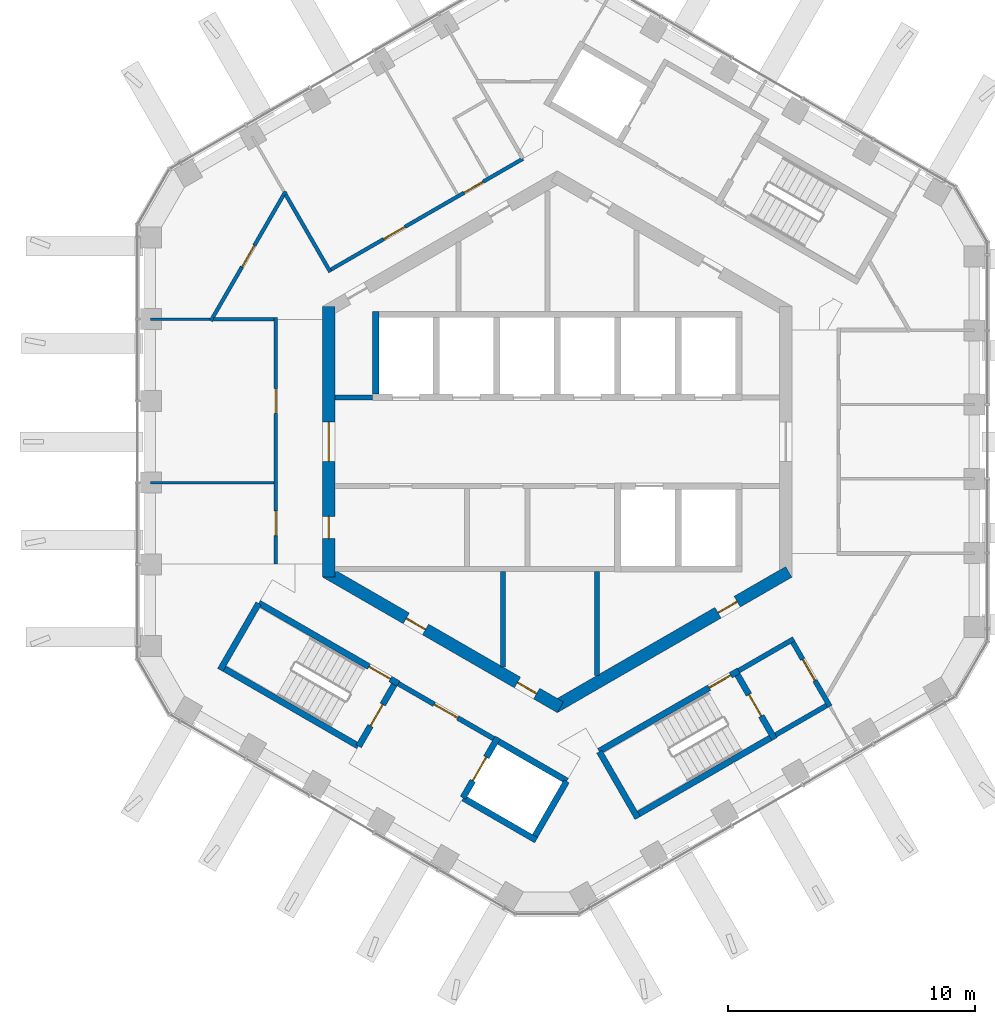
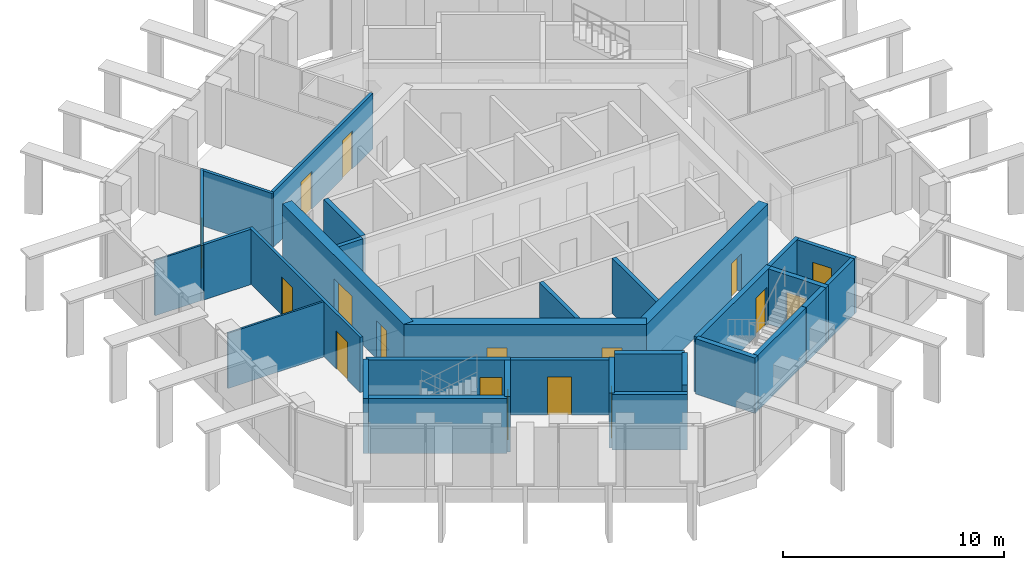
# One storey, part 11 of 18: 31 walls, 17 doors, 17 openings.
"""IFC4 building model written with IfcOpenShell, lengths in metres."""

from ifc_helpers import new_model, si_unit, direction, frame, frame_2d, origin, place, context, subcontext, project, spatial, rectangle, extrude, material, layer, layer_set, type_object, element, fill, save


model = new_model("IFC4")

# Units and contexts
model_context = context("Model", 3, precision=1e-05, world=origin(), true_north=direction((0.0, 1.0)))
body_context = subcontext(model_context, "Body", "Model", "MODEL_VIEW")
ifc_project = project(units=[si_unit("LENGTHUNIT", "METRE"), si_unit("AREAUNIT", "SQUARE_METRE"), si_unit("VOLUMEUNIT", "CUBIC_METRE"), si_unit("PLANEANGLEUNIT", "RADIAN"), si_unit("MASSUNIT", "GRAM", prefix="KILO")], contexts=[model_context])

# Site, building, storey
site_placement = place(None, origin())
site = spatial("IfcSite", under=ifc_project, at=site_placement, CompositionType="ELEMENT")
building_placement = place(site_placement, origin())
building = spatial("IfcBuilding", under=site, at=building_placement, Name="Ayvan Gate Tower", CompositionType="ELEMENT")
storey_placement = place(building_placement, frame((0.0, 0.0, 242.699951171875)))
storey = spatial("IfcBuildingStorey", under=building, at=storey_placement, Name="L65", CompositionType="ELEMENT", Elevation=242.699951171875)

# Wall, openings, doors
ifc_material_1 = material(Name="Concrete C60/75", Category="concrete")
ifc_layer_1 = layer(ifc_material_1, 0.5)
ifc_layer_set_1 = layer_set([ifc_layer_1], Name="Concrete C60/75")
wall_type_1 = type_object("IfcWallType", Name="Core wall 500 C60/75", PredefinedType="SHEAR", material=ifc_layer_set_1)
wall_1_placement = place(storey_placement, frame((-9.25, 5.48486328125, 0.0), z_axis=(0.0, 0.0, 1.0), x_axis=(0.0, -1.0, 0.0)))
wall_1 = element("IfcWall", 1, at=wall_1_placement, inside=storey, type_object=wall_type_1, Name="CORE-L65-3", PredefinedType="SHEAR", context=body_context, shape_type="SweptSolid", body=[
    extrude(rectangle(XDim=10.9697265625, YDim=0.5, at=frame_2d((5.48486328125, 0.0))), origin(), (0.0, 0.0, 1.0), 3.400146484375),
])
opening_1_placement = place(wall_1_placement, frame((8.509765625, 0.0, 0.0)))
opening_1 = element("IfcOpeningElement", 2, at=opening_1_placement, cuts=wall_1, Name="Opening L65-D44", PredefinedType="OPENING", context=body_context, shape_type="SweptSolid", body=[
    extrude(rectangle(XDim=0.89990234375, YDim=2.10009765625, at=frame_2d((0.449951171875, 1.050048828125))), frame((0.0, 0.260009765625, 0.0), z_axis=(0.0, -1.0, 0.0), x_axis=(1.0, 0.0, 0.0)), (0.0, 0.0, 1.0), 0.52001953125),
])
opening_2_placement = place(wall_1_placement, frame((4.684814453125, 0.0, 0.0)))
opening_2 = element("IfcOpeningElement", 3, at=opening_2_placement, cuts=wall_1, Name="Opening L65-D46", PredefinedType="OPENING", context=body_context, shape_type="SweptSolid", body=[
    extrude(rectangle(XDim=1.60009765625, YDim=2.10009765625, at=frame_2d((0.800048828125, 1.050048828125))), frame((0.0, 0.260009765625, 0.0), z_axis=(0.0, -1.0, 0.0), x_axis=(1.0, 0.0, 0.0)), (0.0, 0.0, 1.0), 0.52001953125),
])
ifc_material_2 = material(Name="Timber door leaf", Category="wood")
door_type_1 = type_object("IfcDoorType", Name="DT-1600", OperationType="NOTDEFINED", PredefinedType="DOOR", material=ifc_material_2)
door_1_placement = place(opening_2_placement, origin())
door_1 = element("IfcDoor", 4, at=door_1_placement, inside=storey, type_object=door_type_1, Name="CD-L65-46", OperationType="SINGLE_SWING_LEFT", OverallHeight=2.10009765625, OverallWidth=1.60009765625, PredefinedType="DOOR", context=body_context, shape_type="SweptSolid", body=[
    extrude(rectangle(XDim=1.60009765625, YDim=2.10009765625, at=frame_2d((0.800048828125, 1.050048828125))), frame((0.0, 0.02490234375, 0.0), z_axis=(0.0, -1.0, 0.0), x_axis=(1.0, 0.0, 0.0)), (0.0, 0.0, 1.0), 0.050048828125),
])
fill(opening_2, door_1)
door_type_2 = type_object("IfcDoorType", Name="DT-900", OperationType="NOTDEFINED", PredefinedType="DOOR", material=ifc_material_2)
door_2_placement = place(opening_1_placement, origin())
door_2 = element("IfcDoor", 5, at=door_2_placement, inside=storey, type_object=door_type_2, Name="CD-L65-44", OperationType="SINGLE_SWING_LEFT", OverallHeight=2.10009765625, OverallWidth=0.89990234375, PredefinedType="DOOR", context=body_context, shape_type="SweptSolid", body=[
    extrude(rectangle(XDim=0.89990234375, YDim=2.10009765625, at=frame_2d((0.449951171875, 1.050048828125))), frame((0.0, 0.02490234375, 0.0), z_axis=(0.0, -1.0, 0.0), x_axis=(1.0, 0.0, 0.0)), (0.0, 0.0, 1.0), 0.050048828125),
])
fill(opening_1, door_2)

wall_2_placement = place(storey_placement, frame((-9.375, -5.268310546875, 0.0), z_axis=(0.0, 0.0, 1.0), x_axis=(0.866023993627, -0.500002442456, 0.0)))
wall_2 = element("IfcWall", 6, at=wall_2_placement, inside=storey, type_object=wall_type_1, Name="CORE-L65-4", PredefinedType="SHEAR", context=body_context, shape_type="SweptSolid", body=[
    extrude(rectangle(XDim=10.9697265625, YDim=0.5, at=frame_2d((5.48486328125, 0.0))), origin(), (0.0, 0.0, 1.0), 3.400146484375),
])
opening_3_placement = place(wall_2_placement, frame((3.76513671875, 0.0, 0.0)))
opening_3 = element("IfcOpeningElement", 7, at=opening_3_placement, cuts=wall_2, Name="Opening L65-D41", PredefinedType="OPENING", context=body_context, shape_type="SweptSolid", body=[
    extrude(rectangle(XDim=0.89990234375, YDim=2.10009765625, at=frame_2d((0.449951171875, 1.050048828125))), frame((0.0, 0.260009765625, 0.0), z_axis=(0.0, -1.0, 0.0), x_axis=(1.0, 0.0, 0.0)), (0.0, 0.0, 1.0), 0.52001953125),
])
opening_4_placement = place(wall_2_placement, frame((8.960205078125, 0.0, 0.0)))
opening_4 = element("IfcOpeningElement", 8, at=opening_4_placement, cuts=wall_2, Name="Opening L65-D42", PredefinedType="OPENING", context=body_context, shape_type="SweptSolid", body=[
    extrude(rectangle(XDim=0.89990234375, YDim=2.10009765625, at=frame_2d((0.449951171875, 1.050048828125))), frame((0.0, 0.260009765625, 0.0), z_axis=(0.0, -1.0, 0.0), x_axis=(1.0, 0.0, 0.0)), (0.0, 0.0, 1.0), 0.52001953125),
])
door_3_placement = place(opening_3_placement, origin())
door_3 = element("IfcDoor", 9, at=door_3_placement, inside=storey, type_object=door_type_2, Name="CD-L65-41", OperationType="SINGLE_SWING_RIGHT", OverallHeight=2.10009765625, OverallWidth=0.89990234375, PredefinedType="DOOR", context=body_context, shape_type="SweptSolid", body=[
    extrude(rectangle(XDim=0.89990234375, YDim=2.10009765625, at=frame_2d((0.449951171875, 1.050048828125))), frame((0.0, 0.02490234375, 0.0), z_axis=(0.0, -1.0, 0.0), x_axis=(1.0, 0.0, 0.0)), (0.0, 0.0, 1.0), 0.050048828125),
])
fill(opening_3, door_3)
door_4_placement = place(opening_4_placement, origin())
door_4 = element("IfcDoor", 10, at=door_4_placement, inside=storey, type_object=door_type_2, Name="CD-L65-42", OperationType="SINGLE_SWING_LEFT", OverallHeight=2.10009765625, OverallWidth=0.89990234375, PredefinedType="DOOR", context=body_context, shape_type="SweptSolid", body=[
    extrude(rectangle(XDim=0.89990234375, YDim=2.10009765625, at=frame_2d((0.449951171875, 1.050048828125))), frame((0.0, 0.02490234375, 0.0), z_axis=(0.0, -1.0, 0.0), x_axis=(1.0, 0.0, 0.0)), (0.0, 0.0, 1.0), 0.050048828125),
])
fill(opening_4, door_4)

# Wall, opening, door
wall_3_placement = place(storey_placement, frame((-0.125, -10.753173828125, 0.0), z_axis=(0.0, 0.0, 1.0), x_axis=(0.866023993627, 0.500002442456, 0.0)))
wall_3 = element("IfcWall", 11, at=wall_3_placement, inside=storey, type_object=wall_type_1, Name="CORE-L65-5", PredefinedType="SHEAR", context=body_context, shape_type="SweptSolid", body=[
    extrude(rectangle(XDim=10.9697265625, YDim=0.5, at=frame_2d((5.48486328125, 0.0))), origin(), (0.0, 0.0, 1.0), 3.400146484375),
])
opening_5_placement = place(wall_3_placement, frame((7.6572265625, 0.0, 0.0)))
opening_5 = element("IfcOpeningElement", 12, at=opening_5_placement, cuts=wall_3, Name="Opening L65-D43", PredefinedType="OPENING", context=body_context, shape_type="SweptSolid", body=[
    extrude(rectangle(XDim=0.89990234375, YDim=2.10009765625, at=frame_2d((0.449951171875, 1.050048828125))), frame((0.0, 0.260009765625, 0.0), z_axis=(0.0, -1.0, 0.0), x_axis=(1.0, 0.0, 0.0)), (0.0, 0.0, 1.0), 0.52001953125),
])
door_5_placement = place(opening_5_placement, origin())
door_5 = element("IfcDoor", 13, at=door_5_placement, inside=storey, type_object=door_type_2, Name="CD-L65-43", OperationType="SINGLE_SWING_RIGHT", OverallHeight=2.10009765625, OverallWidth=0.89990234375, PredefinedType="DOOR", context=body_context, shape_type="SweptSolid", body=[
    extrude(rectangle(XDim=0.89990234375, YDim=2.10009765625, at=frame_2d((0.449951171875, 1.050048828125))), frame((0.0, 0.02490234375, 0.0), z_axis=(0.0, -1.0, 0.0), x_axis=(1.0, 0.0, 0.0)), (0.0, 0.0, 1.0), 0.050048828125),
])
fill(opening_5, door_5)

ifc_material_3 = material(Name="Plasterboard on steel stud", Category="steel")
ifc_layer_2 = layer(ifc_material_3, 0.14990234375)
ifc_layer_set_2 = layer_set([ifc_layer_2], Name="Plasterboard on steel stud")
wall_type_2 = type_object("IfcWallType", Name="WT-CORR-150", PredefinedType="PARTITIONING", material=ifc_layer_set_2)
wall_4_placement = place(storey_placement, frame((-14.031005859375, 4.8896484375, 0.0), z_axis=(0.0, 0.0, 1.0), x_axis=(0.499973530083, 0.866040685659, 0.0)))
wall_4 = element("IfcWall", 14, at=wall_4_placement, inside=storey, type_object=wall_type_2, Name="IW-L65-001", PredefinedType="PARTITIONING", context=body_context, shape_type="SweptSolid", body=[
    extrude(rectangle(XDim=6.060302734375, YDim=0.14990234375, at=frame_2d((3.0302734375, 0.0))), origin(), (0.0, 0.0, 1.0), 3.050048828125),
])
opening_6_placement = place(wall_4_placement, frame((2.530029296875, 0.0, 0.0)))
opening_6 = element("IfcOpeningElement", 15, at=opening_6_placement, cuts=wall_4, Name="Opening L65-D29", PredefinedType="OPENING", context=body_context, shape_type="SweptSolid", body=[
    extrude(rectangle(XDim=1.0, YDim=2.10009765625, at=frame_2d((0.5, 1.050048828125))), frame((0.0, 0.0849609375, 0.0), z_axis=(0.0, -1.0, 0.0), x_axis=(1.0, 0.0, 0.0)), (0.0, 0.0, 1.0), 0.169921875),
])
door_type_3 = type_object("IfcDoorType", Name="DT-1000", OperationType="NOTDEFINED", PredefinedType="DOOR", material=ifc_material_2)
door_6_placement = place(opening_6_placement, origin())
door_6 = element("IfcDoor", 16, at=door_6_placement, inside=storey, type_object=door_type_3, Name="ID-L65-029", OperationType="SINGLE_SWING_RIGHT", OverallHeight=2.10009765625, OverallWidth=1.0, PredefinedType="DOOR", context=body_context, shape_type="SweptSolid", body=[
    extrude(rectangle(XDim=1.0, YDim=2.10009765625, at=frame_2d((0.5, 1.050048828125))), frame((0.0, 0.02490234375, 0.0), z_axis=(0.0, -1.0, 0.0), x_axis=(1.0, 0.0, 0.0)), (0.0, 0.0, 1.0), 0.050048828125),
])
fill(opening_6, door_6)

# Wall, openings, doors
wall_5_placement = place(storey_placement, frame((-11.39990234375, -4.95458984375, 0.0), z_axis=(0.0, 0.0, 1.0), x_axis=(0.0, 1.0, 0.0)))
wall_5 = element("IfcWall", 17, at=wall_5_placement, inside=storey, type_object=wall_type_2, Name="IW-L65-005", PredefinedType="PARTITIONING", context=body_context, shape_type="SweptSolid", body=[
    extrude(rectangle(XDim=9.984375, YDim=0.14990234375, at=frame_2d((4.9921875, 0.0))), origin(), (0.0, 0.0, 1.0), 3.050048828125),
])
opening_7_placement = place(wall_5_placement, frame((6.106201171875, 0.0, 0.0)))
opening_7 = element("IfcOpeningElement", 18, at=opening_7_placement, cuts=wall_5, Name="Opening L65-D30", PredefinedType="OPENING", context=body_context, shape_type="SweptSolid", body=[
    extrude(rectangle(XDim=1.0, YDim=2.10009765625, at=frame_2d((0.5, 1.050048828125))), frame((0.0, 0.0849609375, 0.0), z_axis=(0.0, -1.0, 0.0), x_axis=(1.0, 0.0, 0.0)), (0.0, 0.0, 1.0), 0.169921875),
])
opening_8_placement = place(wall_5_placement, frame((1.151123046875, 0.0, 0.0)))
opening_8 = element("IfcOpeningElement", 19, at=opening_8_placement, cuts=wall_5, Name="Opening L65-D31", PredefinedType="OPENING", context=body_context, shape_type="SweptSolid", body=[
    extrude(rectangle(XDim=1.0, YDim=2.10009765625, at=frame_2d((0.5, 1.050048828125))), frame((0.0, 0.0849609375, 0.0), z_axis=(0.0, -1.0, 0.0), x_axis=(1.0, 0.0, 0.0)), (0.0, 0.0, 1.0), 0.169921875),
])
door_7_placement = place(opening_7_placement, origin())
door_7 = element("IfcDoor", 20, at=door_7_placement, inside=storey, type_object=door_type_3, Name="ID-L65-030", OperationType="SINGLE_SWING_LEFT", OverallHeight=2.10009765625, OverallWidth=1.0, PredefinedType="DOOR", context=body_context, shape_type="SweptSolid", body=[
    extrude(rectangle(XDim=1.0, YDim=2.10009765625, at=frame_2d((0.5, 1.050048828125))), frame((0.0, 0.02490234375, 0.0), z_axis=(0.0, -1.0, 0.0), x_axis=(1.0, 0.0, 0.0)), (0.0, 0.0, 1.0), 0.050048828125),
])
fill(opening_7, door_7)
door_8_placement = place(opening_8_placement, origin())
door_8 = element("IfcDoor", 21, at=door_8_placement, inside=storey, type_object=door_type_3, Name="ID-L65-031", OperationType="SINGLE_SWING_RIGHT", OverallHeight=2.10009765625, OverallWidth=1.0, PredefinedType="DOOR", context=body_context, shape_type="SweptSolid", body=[
    extrude(rectangle(XDim=1.0, YDim=2.10009765625, at=frame_2d((0.5, 1.050048828125))), frame((0.0, 0.02490234375, 0.0), z_axis=(0.0, -1.0, 0.0), x_axis=(1.0, 0.0, 0.0)), (0.0, 0.0, 1.0), 0.050048828125),
])
fill(opening_8, door_8)

# Walls
wall_6_placement = place(storey_placement, frame((-11.474853515625, 4.95458984375, 0.0), z_axis=(0.0, 0.0, 1.0), x_axis=(-1.0, 0.0, 0.0)))
element("IfcWall", 22, at=wall_6_placement, inside=storey, type_object=wall_type_2, Name="IW-L65-007", PredefinedType="PARTITIONING", context=body_context, shape_type="SweptSolid", body=[
    extrude(rectangle(XDim=2.443603515625, YDim=0.14990234375, at=frame_2d((1.2216796875, 0.0))), origin(), (0.0, 0.0, 1.0), 3.050048828125),
])
wall_7_placement = place(storey_placement, frame((-11.0009765625, 10.008056640625, 0.0), z_axis=(0.0, 0.0, 1.0), x_axis=(0.500053022251, -0.865994789209, 0.0)))
element("IfcWall", 23, at=wall_7_placement, inside=storey, type_object=wall_type_2, Name="IW-L65-008", PredefinedType="PARTITIONING", context=body_context, shape_type="SweptSolid", body=[
    extrude(rectangle(XDim=3.62255859375, YDim=0.14990234375, at=frame_2d((1.811279296875, 0.0))), origin(), (0.0, 0.0, 1.0), 3.050048828125),
])

# Wall, openings, doors
wall_8_placement = place(storey_placement, frame((-9.162109375, 6.97314453125, 0.0), z_axis=(0.0, 0.0, 1.0), x_axis=(0.866025611375, 0.499999640442, 0.0)))
wall_8 = element("IfcWall", 24, at=wall_8_placement, inside=storey, type_object=wall_type_2, Name="IW-L65-009", PredefinedType="PARTITIONING", context=body_context, shape_type="SweptSolid", body=[
    extrude(rectangle(XDim=8.97119140625, YDim=0.14990234375, at=frame_2d((4.485595703125, 0.0))), origin(), (0.0, 0.0, 1.0), 3.050048828125),
])
opening_9_placement = place(wall_8_placement, frame((6.21337890625, 0.0, 0.0)))
opening_9 = element("IfcOpeningElement", 25, at=opening_9_placement, cuts=wall_8, Name="Opening L65-D34", PredefinedType="OPENING", context=body_context, shape_type="SweptSolid", body=[
    extrude(rectangle(XDim=0.89990234375, YDim=2.10009765625, at=frame_2d((0.449951171875, 1.050048828125))), frame((0.0, 0.0849609375, 0.0), z_axis=(0.0, -1.0, 0.0), x_axis=(1.0, 0.0, 0.0)), (0.0, 0.0, 1.0), 0.169921875),
])
opening_10_placement = place(wall_8_placement, frame((2.462890625, 0.0, 0.0)))
opening_10 = element("IfcOpeningElement", 26, at=opening_10_placement, cuts=wall_8, Name="Opening L65-D36", PredefinedType="OPENING", context=body_context, shape_type="SweptSolid", body=[
    extrude(rectangle(XDim=1.0, YDim=2.10009765625, at=frame_2d((0.5, 1.050048828125))), frame((0.0, 0.0849609375, 0.0), z_axis=(0.0, -1.0, 0.0), x_axis=(1.0, 0.0, 0.0)), (0.0, 0.0, 1.0), 0.169921875),
])
door_9_placement = place(opening_10_placement, origin())
door_9 = element("IfcDoor", 27, at=door_9_placement, inside=storey, type_object=door_type_3, Name="ID-L65-036", OperationType="SINGLE_SWING_LEFT", OverallHeight=2.10009765625, OverallWidth=1.0, PredefinedType="DOOR", context=body_context, shape_type="SweptSolid", body=[
    extrude(rectangle(XDim=1.0, YDim=2.10009765625, at=frame_2d((0.5, 1.050048828125))), frame((0.0, 0.02490234375, 0.0), z_axis=(0.0, -1.0, 0.0), x_axis=(1.0, 0.0, 0.0)), (0.0, 0.0, 1.0), 0.050048828125),
])
fill(opening_10, door_9)
door_10_placement = place(opening_9_placement, origin())
door_10 = element("IfcDoor", 28, at=door_10_placement, inside=storey, type_object=door_type_2, Name="ID-L65-034", OperationType="SINGLE_SWING_LEFT", OverallHeight=2.10009765625, OverallWidth=0.89990234375, PredefinedType="DOOR", context=body_context, shape_type="SweptSolid", body=[
    extrude(rectangle(XDim=0.89990234375, YDim=2.10009765625, at=frame_2d((0.449951171875, 1.050048828125))), frame((0.0, 0.02490234375, 0.0), z_axis=(0.0, -1.0, 0.0), x_axis=(1.0, 0.0, 0.0)), (0.0, 0.0, 1.0), 0.050048828125),
])
fill(opening_9, door_10)

# Walls
ifc_layer_3 = layer(ifc_material_3, 0.10009765625)
ifc_layer_set_3 = layer_set([ifc_layer_3], Name="Plasterboard on steel stud")
wall_type_3 = type_object("IfcWallType", Name="WT-PART-100", PredefinedType="PARTITIONING", material=ifc_layer_set_3)
wall_9_placement = place(storey_placement, frame((-14.068603515625, 4.95458984375, 0.0), z_axis=(0.0, 0.0, 1.0), x_axis=(-1.0, 0.0, 0.0)))
element("IfcWall", 29, at=wall_9_placement, inside=storey, type_object=wall_type_3, Name="IW-L65-000", PredefinedType="PARTITIONING", context=body_context, shape_type="SweptSolid", body=[
    extrude(rectangle(XDim=2.403564453125, YDim=0.10009765625, at=frame_2d((1.20166015625, 0.0))), origin(), (0.0, 0.0, 1.0), 3.050048828125),
])
wall_10_placement = place(storey_placement, frame((-11.47509765625, -1.651611328125, 0.0), z_axis=(0.0, 0.0, 1.0), x_axis=(-1.0, 0.0, 0.0)))
element("IfcWall", 30, at=wall_10_placement, inside=storey, type_object=wall_type_3, Name="IW-L65-006", PredefinedType="PARTITIONING", context=body_context, shape_type="SweptSolid", body=[
    extrude(rectangle(XDim=4.9970703125, YDim=0.10009765625, at=frame_2d((2.49853515625, 0.0))), origin(), (0.0, 0.0, 1.0), 3.050048828125),
])
ifc_layer_4 = layer(ifc_material_3, 0.199951171875)
ifc_layer_set_4 = layer_set([ifc_layer_4], Name="Plasterboard on steel stud")
wall_type_4 = type_object("IfcWallType", Name="WT-RATED-200", PredefinedType="PARTITIONING", material=ifc_layer_set_4)
wall_11_placement = place(storey_placement, frame((-9.0, 1.800048828125, 0.0), z_axis=(0.0, 0.0, 1.0), x_axis=(1.0, 0.0, 0.0)))
element("IfcWall", 31, at=wall_11_placement, inside=storey, type_object=wall_type_4, Name="IW-L65-010", PredefinedType="PARTITIONING", context=body_context, shape_type="SweptSolid", body=[
    extrude(rectangle(XDim=1.525146484375, YDim=0.199951171875, at=frame_2d((0.7626953125, 0.0))), origin(), (0.0, 0.0, 1.0), 3.050048828125),
])

# Wall, opening, door
wall_12_placement = place(storey_placement, frame((-6.4345703125, -9.794921875, 0.0), z_axis=(0.0, 0.0, 1.0), x_axis=(0.866012907634, -0.500021643343, 0.0)))
wall_12 = element("IfcWall", 32, at=wall_12_placement, inside=storey, type_object=wall_type_4, Name="IW-L65-017", PredefinedType="PARTITIONING", context=body_context, shape_type="SweptSolid", body=[
    extrude(rectangle(XDim=4.449951171875, YDim=0.199951171875, at=frame_2d((2.22509765625, 0.0))), origin(), (0.0, 0.0, 1.0), 3.050048828125),
])
opening_11_placement = place(wall_12_placement, frame((1.675048828125, 0.0, 0.0)))
opening_11 = element("IfcOpeningElement", 33, at=opening_11_placement, cuts=wall_12, Name="Opening L65-D17", PredefinedType="OPENING", context=body_context, shape_type="SweptSolid", body=[
    extrude(rectangle(XDim=1.10009765625, YDim=2.10009765625, at=frame_2d((0.550048828125, 1.050048828125))), frame((0.0, 0.10986328125, 0.0), z_axis=(0.0, -1.0, 0.0), x_axis=(1.0, 0.0, 0.0)), (0.0, 0.0, 1.0), 0.219970703125),
])
door_type_4 = type_object("IfcDoorType", Name="DT-1100", OperationType="NOTDEFINED", PredefinedType="DOOR", material=ifc_material_2)
door_11_placement = place(opening_11_placement, origin())
door_11 = element("IfcDoor", 34, at=door_11_placement, inside=storey, type_object=door_type_4, Name="ID-L65-017", OperationType="SINGLE_SWING_RIGHT", OverallHeight=2.10009765625, OverallWidth=1.10009765625, PredefinedType="DOOR", context=body_context, shape_type="SweptSolid", body=[
    extrude(rectangle(XDim=1.10009765625, YDim=2.10009765625, at=frame_2d((0.550048828125, 1.050048828125))), frame((0.0, 0.02490234375, 0.0), z_axis=(0.0, -1.0, 0.0), x_axis=(1.0, 0.0, 0.0)), (0.0, 0.0, 1.0), 0.050048828125),
])
fill(opening_11, door_11)

# Walls
wall_13_placement = place(storey_placement, frame((-2.199951171875, -5.25, 0.0), z_axis=(0.0, 0.0, 1.0), x_axis=(0.0, -1.0, 0.0)))
element("IfcWall", 35, at=wall_13_placement, inside=storey, type_object=wall_type_4, Name="IW-L65-031", PredefinedType="PARTITIONING", context=body_context, shape_type="SweptSolid", body=[
    extrude(rectangle(XDim=3.8720703125, YDim=0.199951171875, at=frame_2d((1.93603515625, 0.0))), origin(), (0.0, 0.0, 1.0), 3.050048828125),
])
wall_14_placement = place(storey_placement, frame((1.60009765625, -5.25, 0.0), z_axis=(0.0, 0.0, 1.0), x_axis=(0.0, -1.0, 0.0)))
element("IfcWall", 36, at=wall_14_placement, inside=storey, type_object=wall_type_4, Name="IW-L65-040", PredefinedType="PARTITIONING", context=body_context, shape_type="SweptSolid", body=[
    extrude(rectangle(XDim=4.218505859375, YDim=0.199951171875, at=frame_2d((2.109375, 0.0))), origin(), (0.0, 0.0, 1.0), 3.050048828125),
])
wall_15_placement = place(storey_placement, frame((7.343994140625, -9.27001953125, 0.0), z_axis=(0.0, 0.0, 1.0), x_axis=(0.866005588531, 0.500034319456, 0.0)))
element("IfcWall", 37, at=wall_15_placement, inside=storey, type_object=wall_type_4, Name="IW-L65-059", PredefinedType="PARTITIONING", context=body_context, shape_type="SweptSolid", body=[
    extrude(rectangle(XDim=2.574951171875, YDim=0.199951171875, at=frame_2d((1.28759765625, 0.0))), origin(), (0.0, 0.0, 1.0), 3.050048828125),
])

# Wall, opening, door
wall_16_placement = place(storey_placement, frame((9.537353515625, -8.119140625, 0.0), z_axis=(0.0, 0.0, 1.0), x_axis=(0.499990139034, -0.866031096941, 0.0)))
wall_16 = element("IfcWall", 38, at=wall_16_placement, inside=storey, type_object=wall_type_4, Name="IW-L65-068", PredefinedType="PARTITIONING", context=body_context, shape_type="SweptSolid", body=[
    extrude(rectangle(XDim=3.0, YDim=0.199951171875, at=frame_2d((1.5, 0.0))), origin(), (0.0, 0.0, 1.0), 3.050048828125),
])
opening_12_placement = place(wall_16_placement, frame((0.79736328125, 0.0, 0.0)))
opening_12 = element("IfcOpeningElement", 39, at=opening_12_placement, cuts=wall_16, Name="Opening L65-D20", PredefinedType="OPENING", context=body_context, shape_type="SweptSolid", body=[
    extrude(rectangle(XDim=1.0, YDim=2.10009765625, at=frame_2d((0.5, 1.050048828125))), frame((0.0, 0.10986328125, 0.0), z_axis=(0.0, -1.0, 0.0), x_axis=(1.0, 0.0, 0.0)), (0.0, 0.0, 1.0), 0.219970703125),
])
door_12_placement = place(opening_12_placement, origin())
door_12 = element("IfcDoor", 40, at=door_12_placement, inside=storey, type_object=door_type_3, Name="ID-L65-020", OperationType="SINGLE_SWING_LEFT", OverallHeight=2.10009765625, OverallWidth=1.0, PredefinedType="DOOR", context=body_context, shape_type="SweptSolid", body=[
    extrude(rectangle(XDim=1.0, YDim=2.10009765625, at=frame_2d((0.5, 1.050048828125))), frame((0.0, 0.02490234375, 0.0), z_axis=(0.0, -1.0, 0.0), x_axis=(1.0, 0.0, 0.0)), (0.0, 0.0, 1.0), 0.050048828125),
])
fill(opening_12, door_12)

# Walls
wall_17_placement = place(storey_placement, frame((10.900634765625, -10.6806640625, 0.0), z_axis=(0.0, 0.0, 1.0), x_axis=(-0.866007538022, -0.500030943131, 0.0)))
element("IfcWall", 41, at=wall_17_placement, inside=storey, type_object=wall_type_4, Name="IW-L65-069", PredefinedType="PARTITIONING", context=body_context, shape_type="SweptSolid", body=[
    extrude(rectangle(XDim=2.374755859375, YDim=0.199951171875, at=frame_2d((1.1875, 0.0))), origin(), (0.0, 0.0, 1.0), 3.050048828125),
])
ifc_material_4 = material(Name="Concrete C50/60", Category="concrete")
ifc_layer_5 = layer(ifc_material_4, 0.25)
ifc_layer_set_5 = layer_set([ifc_layer_5], Name="Concrete C50/60")
wall_type_5 = type_object("IfcWallType", Name="WT-RC-250", PredefinedType="SHEAR", material=ifc_layer_set_5)
wall_18_placement = place(storey_placement, frame((-13.64794921875, -9.23876953125, 0.0), z_axis=(0.0, 0.0, 1.0), x_axis=(0.500003782172, 0.866023220135, 0.0)))
element("IfcWall", 42, at=wall_18_placement, inside=storey, type_object=wall_type_5, Name="IW-L65-002", PredefinedType="SHEAR", context=body_context, shape_type="SweptSolid", body=[
    extrude(rectangle(XDim=3.10498046875, YDim=0.25, at=frame_2d((1.552490234375, 0.0))), origin(), (0.0, 0.0, 1.0), 3.050048828125),
])

# Wall, opening, door
wall_19_placement = place(storey_placement, frame((-12.08544921875, -6.532470703125, 0.0), z_axis=(0.0, 0.0, 1.0), x_axis=(0.866031063448, -0.499990197047, 0.0)))
wall_19 = element("IfcWall", 43, at=wall_19_placement, inside=storey, type_object=wall_type_5, Name="IW-L65-004", PredefinedType="SHEAR", context=body_context, shape_type="SweptSolid", body=[
    extrude(rectangle(XDim=6.525146484375, YDim=0.25, at=frame_2d((3.2626953125, 0.0))), origin(), (0.0, 0.0, 1.0), 3.050048828125),
])
opening_13_placement = place(wall_19_placement, frame((5.14990234375, 0.0, 0.0)))
opening_13 = element("IfcOpeningElement", 44, at=opening_13_placement, cuts=wall_19, Name="Opening L65-D15", PredefinedType="OPENING", context=body_context, shape_type="SweptSolid", body=[
    extrude(rectangle(XDim=1.0, YDim=2.10009765625, at=frame_2d((0.5, 1.050048828125))), frame((0.0, 0.135009765625, 0.0), z_axis=(0.0, -1.0, 0.0), x_axis=(1.0, 0.0, 0.0)), (0.0, 0.0, 1.0), 0.27001953125),
])
door_13_placement = place(opening_13_placement, origin())
door_13 = element("IfcDoor", 45, at=door_13_placement, inside=storey, type_object=door_type_3, Name="ID-L65-015", OperationType="SINGLE_SWING_RIGHT", OverallHeight=2.10009765625, OverallWidth=1.0, PredefinedType="DOOR", context=body_context, shape_type="SweptSolid", body=[
    extrude(rectangle(XDim=1.0, YDim=2.10009765625, at=frame_2d((0.5, 1.050048828125))), frame((0.0, 0.02490234375, 0.0), z_axis=(0.0, -1.0, 0.0), x_axis=(1.0, 0.0, 0.0)), (0.0, 0.0, 1.0), 0.050048828125),
])
fill(opening_13, door_13)

# Walls
wall_20_placement = place(storey_placement, frame((-8.06005859375, -12.320556640625, 0.0), z_axis=(0.0, 0.0, 1.0), x_axis=(-0.866029591389, 0.499992746786, 0.0)))
element("IfcWall", 46, at=wall_20_placement, inside=storey, type_object=wall_type_5, Name="IW-L65-012", PredefinedType="SHEAR", context=body_context, shape_type="SweptSolid", body=[
    extrude(rectangle(XDim=6.2548828125, YDim=0.25, at=frame_2d((3.12744140625, 0.0))), origin(), (0.0, 0.0, 1.0), 3.050048828125),
])
wall_21_placement = place(storey_placement, frame((-7.35009765625, 1.925048828125, 0.0), z_axis=(0.0, 0.0, 1.0), x_axis=(0.0, 1.0, 0.0)))
element("IfcWall", 47, at=wall_21_placement, inside=storey, type_object=wall_type_5, Name="IW-L65-014", PredefinedType="SHEAR", context=body_context, shape_type="SweptSolid", body=[
    extrude(rectangle(XDim=3.349853515625, YDim=0.25, at=frame_2d((1.6748046875, 0.0))), origin(), (0.0, 0.0, 1.0), 3.050048828125),
])

# Wall, opening, door
wall_22_placement = place(storey_placement, frame((-6.605224609375, -9.8408203125, 0.0), z_axis=(0.0, 0.0, 1.0), x_axis=(-0.500011588718, -0.866018712932, 0.0)))
wall_22 = element("IfcWall", 48, at=wall_22_placement, inside=storey, type_object=wall_type_5, Name="IW-L65-016", PredefinedType="SHEAR", context=body_context, shape_type="SweptSolid", body=[
    extrude(rectangle(XDim=2.875, YDim=0.25, at=frame_2d((1.4375, 0.0))), origin(), (0.0, 0.0, 1.0), 3.050048828125),
])
opening_14_placement = place(wall_22_placement, frame((0.923095703125, 0.0, 0.0)))
opening_14 = element("IfcOpeningElement", 49, at=opening_14_placement, cuts=wall_22, Name="Opening L65-D16", PredefinedType="OPENING", context=body_context, shape_type="SweptSolid", body=[
    extrude(rectangle(XDim=1.0, YDim=2.10009765625, at=frame_2d((0.5, 1.050048828125))), frame((0.0, 0.135009765625, 0.0), z_axis=(0.0, -1.0, 0.0), x_axis=(1.0, 0.0, 0.0)), (0.0, 0.0, 1.0), 0.27001953125),
])
door_14_placement = place(opening_14_placement, origin())
door_14 = element("IfcDoor", 50, at=door_14_placement, inside=storey, type_object=door_type_3, Name="ID-L65-016", OperationType="SINGLE_SWING_LEFT", OverallHeight=2.10009765625, OverallWidth=1.0, PredefinedType="DOOR", context=body_context, shape_type="SweptSolid", body=[
    extrude(rectangle(XDim=1.0, YDim=2.10009765625, at=frame_2d((0.5, 1.050048828125))), frame((0.0, 0.02490234375, 0.0), z_axis=(0.0, -1.0, 0.0), x_axis=(1.0, 0.0, 0.0)), (0.0, 0.0, 1.0), 0.050048828125),
])
fill(opening_14, door_14)

wall_23_placement = place(storey_placement, frame((-2.409912109375, -11.97412109375, 0.0), z_axis=(0.0, 0.0, 1.0), x_axis=(-0.49998675294, -0.866033051843, 0.0)))
wall_23 = element("IfcWall", 51, at=wall_23_placement, inside=storey, type_object=wall_type_5, Name="IW-L65-028", PredefinedType="SHEAR", context=body_context, shape_type="SweptSolid", body=[
    extrude(rectangle(XDim=2.8251953125, YDim=0.25, at=frame_2d((1.41259765625, 0.0))), origin(), (0.0, 0.0, 1.0), 3.050048828125),
])
opening_15_placement = place(wall_23_placement, frame((0.925537109375, 0.0, 0.0)))
opening_15 = element("IfcOpeningElement", 52, at=opening_15_placement, cuts=wall_23, Name="Opening L65-LD-FF2", PredefinedType="OPENING", context=body_context, shape_type="SweptSolid", body=[
    extrude(rectangle(XDim=1.10009765625, YDim=2.10009765625, at=frame_2d((0.550048828125, 1.050048828125))), frame((0.0, 0.135009765625, 0.0), z_axis=(0.0, -1.0, 0.0), x_axis=(1.0, 0.0, 0.0)), (0.0, 0.0, 1.0), 0.27001953125),
])
ifc_material_5 = material(Name="Stainless steel landing door", Category="steel")
door_type_5 = type_object("IfcDoorType", Name="DT-LANDING-1100", OperationType="SLIDING_TO_LEFT", PredefinedType="DOOR", material=ifc_material_5)
door_15_placement = place(opening_15_placement, origin())
door_15 = element("IfcDoor", 53, at=door_15_placement, inside=storey, type_object=door_type_5, Name="ID-L65-018", OperationType="SLIDING_TO_LEFT", OverallHeight=2.10009765625, OverallWidth=1.10009765625, PredefinedType="DOOR", context=body_context, shape_type="SweptSolid", body=[
    extrude(rectangle(XDim=1.10009765625, YDim=2.10009765625, at=frame_2d((0.550048828125, 1.050048828125))), frame((0.0, 0.02490234375, 0.0), z_axis=(0.0, -1.0, 0.0), x_axis=(1.0, 0.0, 0.0)), (0.0, 0.0, 1.0), 0.050048828125),
])
fill(opening_15, door_15)

# Walls
wall_24_placement = place(storey_placement, frame((-2.3642578125, -12.14501953125, 0.0), z_axis=(0.0, 0.0, 1.0), x_axis=(0.866048579423, -0.499959856469, 0.0)))
element("IfcWall", 54, at=wall_24_placement, inside=storey, type_object=wall_type_5, Name="IW-L65-029", PredefinedType="SHEAR", context=body_context, shape_type="SweptSolid", body=[
    extrude(rectangle(XDim=3.175048828125, YDim=0.25, at=frame_2d((1.58740234375, 0.0))), origin(), (0.0, 0.0, 1.0), 3.400146484375),
])
wall_25_placement = place(storey_placement, frame((-0.8564453125, -16.13330078125, 0.0), z_axis=(0.0, 0.0, 1.0), x_axis=(-0.866032748241, 0.499987278812, 0.0)))
element("IfcWall", 55, at=wall_25_placement, inside=storey, type_object=wall_type_5, Name="IW-L65-034", PredefinedType="SHEAR", context=body_context, shape_type="SweptSolid", body=[
    extrude(rectangle(XDim=3.40478515625, YDim=0.25, at=frame_2d((1.702392578125, 0.0))), origin(), (0.0, 0.0, 1.0), 3.050048828125),
])
wall_26_placement = place(storey_placement, frame((0.37548828125, -13.749755859375, 0.0), z_axis=(0.0, 0.0, 1.0), x_axis=(-0.50003400563, -0.866005769735, 0.0)))
element("IfcWall", 56, at=wall_26_placement, inside=storey, type_object=wall_type_5, Name="IW-L65-038", PredefinedType="SHEAR", context=body_context, shape_type="SweptSolid", body=[
    extrude(rectangle(XDim=2.554931640625, YDim=0.25, at=frame_2d((1.27734375, 0.0))), origin(), (0.0, 0.0, 1.0), 3.400146484375),
])

# Wall, opening, door
wall_27_placement = place(storey_placement, frame((1.693115234375, -12.532470703125, 0.0), z_axis=(0.0, 0.0, 1.0), x_axis=(0.866031063448, 0.499990197047, 0.0)))
wall_27 = element("IfcWall", 57, at=wall_27_placement, inside=storey, type_object=wall_type_5, Name="IW-L65-041", PredefinedType="SHEAR", context=body_context, shape_type="SweptSolid", body=[
    extrude(rectangle(XDim=6.525146484375, YDim=0.25, at=frame_2d((3.2626953125, 0.0))), origin(), (0.0, 0.0, 1.0), 3.050048828125),
])
opening_16_placement = place(wall_27_placement, frame((5.14990234375, 0.0, 0.0)))
opening_16 = element("IfcOpeningElement", 58, at=opening_16_placement, cuts=wall_27, Name="Opening L65-D19", PredefinedType="OPENING", context=body_context, shape_type="SweptSolid", body=[
    extrude(rectangle(XDim=1.0, YDim=2.10009765625, at=frame_2d((0.5, 1.050048828125))), frame((0.0, 0.135009765625, 0.0), z_axis=(0.0, -1.0, 0.0), x_axis=(1.0, 0.0, 0.0)), (0.0, 0.0, 1.0), 0.27001953125),
])
door_16_placement = place(opening_16_placement, origin())
door_16 = element("IfcDoor", 59, at=door_16_placement, inside=storey, type_object=door_type_3, Name="ID-L65-019", OperationType="SINGLE_SWING_RIGHT", OverallHeight=2.10009765625, OverallWidth=1.0, PredefinedType="DOOR", context=body_context, shape_type="SweptSolid", body=[
    extrude(rectangle(XDim=1.0, YDim=2.10009765625, at=frame_2d((0.5, 1.050048828125))), frame((0.0, 0.02490234375, 0.0), z_axis=(0.0, -1.0, 0.0), x_axis=(1.0, 0.0, 0.0)), (0.0, 0.0, 1.0), 0.050048828125),
])
fill(opening_16, door_16)

# Walls
wall_28_placement = place(storey_placement, frame((3.255615234375, -15.23876953125, 0.0), z_axis=(0.0, 0.0, 1.0), x_axis=(-0.500003782172, 0.866023220135, 0.0)))
element("IfcWall", 60, at=wall_28_placement, inside=storey, type_object=wall_type_5, Name="IW-L65-047", PredefinedType="SHEAR", context=body_context, shape_type="SweptSolid", body=[
    extrude(rectangle(XDim=3.10498046875, YDim=0.25, at=frame_2d((1.552490234375, 0.0))), origin(), (0.0, 0.0, 1.0), 3.050048828125),
])
wall_29_placement = place(storey_placement, frame((7.07275390625, -12.890625, 0.0), z_axis=(0.0, 0.0, 1.0), x_axis=(-0.866023145199, -0.500003911965, 0.0)))
element("IfcWall", 61, at=wall_29_placement, inside=storey, type_object=wall_type_5, Name="IW-L65-057", PredefinedType="SHEAR", context=body_context, shape_type="SweptSolid", body=[
    extrude(rectangle(XDim=4.35498046875, YDim=0.25, at=frame_2d((2.177490234375, 0.0))), origin(), (0.0, 0.0, 1.0), 3.050048828125),
])

# Wall, opening, door
wall_30_placement = place(storey_placement, frame((7.298095703125, -9.44091796875, 0.0), z_axis=(0.0, 0.0, 1.0), x_axis=(0.50002537861, -0.866010750942, 0.0)))
wall_30 = element("IfcWall", 62, at=wall_30_placement, inside=storey, type_object=wall_type_5, Name="IW-L65-058", PredefinedType="SHEAR", context=body_context, shape_type="SweptSolid", body=[
    extrude(rectangle(XDim=2.999755859375, YDim=0.25, at=frame_2d((1.5, 0.0))), origin(), (0.0, 0.0, 1.0), 3.050048828125),
])
opening_17_placement = place(wall_30_placement, frame((0.922607421875, 0.0, 0.0)))
opening_17 = element("IfcOpeningElement", 63, at=opening_17_placement, cuts=wall_30, Name="Opening L65-D21", PredefinedType="OPENING", context=body_context, shape_type="SweptSolid", body=[
    extrude(rectangle(XDim=1.0, YDim=2.10009765625, at=frame_2d((0.5, 1.050048828125))), frame((0.0, 0.135009765625, 0.0), z_axis=(0.0, -1.0, 0.0), x_axis=(1.0, 0.0, 0.0)), (0.0, 0.0, 1.0), 0.27001953125),
])
door_17_placement = place(opening_17_placement, origin())
door_17 = element("IfcDoor", 64, at=door_17_placement, inside=storey, type_object=door_type_3, Name="ID-L65-021", OperationType="SINGLE_SWING_RIGHT", OverallHeight=2.10009765625, OverallWidth=1.0, PredefinedType="DOOR", context=body_context, shape_type="SweptSolid", body=[
    extrude(rectangle(XDim=1.0, YDim=2.10009765625, at=frame_2d((0.5, 1.050048828125))), frame((0.0, 0.02490234375, 0.0), z_axis=(0.0, -1.0, 0.0), x_axis=(1.0, 0.0, 0.0)), (0.0, 0.0, 1.0), 0.050048828125),
])
fill(opening_17, door_17)

# Wall
wall_31_placement = place(storey_placement, frame((8.62744140625, -11.9931640625, 0.0), z_axis=(0.0, 0.0, 1.0), x_axis=(-0.866059624469, -0.499940723351, 0.0)))
element("IfcWall", 65, at=wall_31_placement, inside=storey, type_object=wall_type_5, Name="IW-L65-066", PredefinedType="SHEAR", context=body_context, shape_type="SweptSolid", body=[
    extrude(rectangle(XDim=1.775146484375, YDim=0.25, at=frame_2d((0.8876953125, 0.0))), origin(), (0.0, 0.0, 1.0), 3.050048828125),
])

save(model, "model.ifc")
